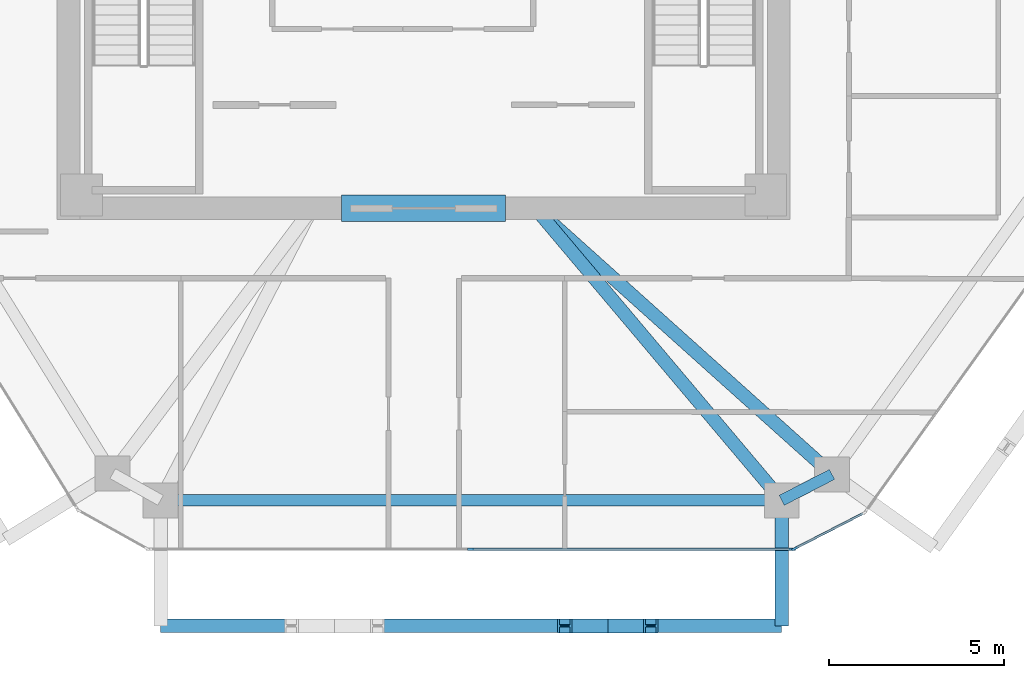
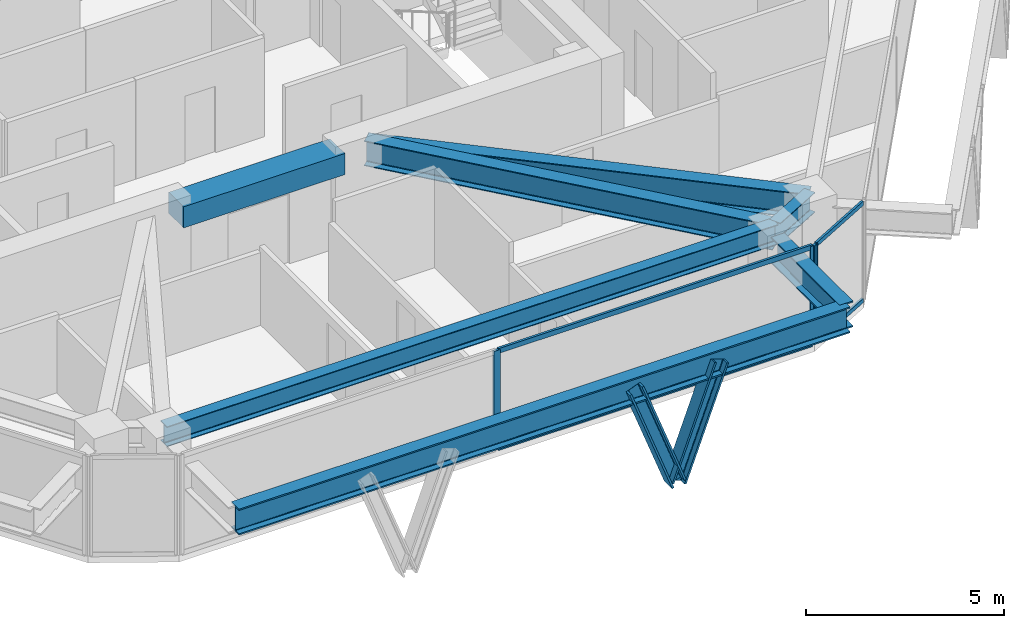
# One storey, part 3 of 11: 9 members, 7 beams, 2 elements without a shape of their own.
"""IFC4 building model written with IfcOpenShell, lengths in metres."""

import ifcopenshell
import ifcopenshell.guid

model = None  # the IFC model being written
_history = None  # IfcOwnerHistory: only IFC2X3 demands one
_inside = {}  # id of a spatial element -> (the spatial element, [elements in it])
_under = {}  # id of a project, library or spatial element -> (it, [spatial elements below it])
_declared = {}  # id of a project -> (the project, [libraries it declares])
_typed = {}  # id of a type object -> (the type object, [elements of that type])
_made_of = {}  # id of a material, layer set ... -> (it, [elements and type objects made of it])


def new_model(schema):
    """Start an empty IFC model of exactly this schema.

    Asked for "IFC4X3", IfcOpenShell would pick the latest addendum, in which some entities
    have other attributes; the version numbers below select the first issue.
    IFC2X3 requires an IfcOwnerHistory on every rooted entity: one is made here for all.
    """
    global model, _history
    if schema == "IFC4X3":
        model = ifcopenshell.file(schema_version=(4, 3, 0, 0))
    else:
        model = ifcopenshell.file(schema=schema)
    _inside.clear()
    _under.clear()
    _declared.clear()
    _typed.clear()
    _made_of.clear()
    _history = None
    if model.schema == "IFC2X3":
        org = make("IfcOrganization", Name="unknown")
        user = make(
            "IfcPersonAndOrganization",
            ThePerson=make("IfcPerson", FamilyName="unknown"),
            TheOrganization=org,
        )
        app = make(
            "IfcApplication",
            ApplicationDeveloper=org,
            Version="unknown",
            ApplicationFullName="unknown",
            ApplicationIdentifier="unknown",
        )
        _history = make(
            "IfcOwnerHistory",
            OwningUser=user,
            OwningApplication=app,
            ChangeAction="ADDED",
            CreationDate=0,
        )
    return model


def make(cls, **values):
    """One entity of the class cls with the attributes given. An attribute that is None is left unset."""
    return model.create_entity(
        cls, **{name: value for name, value in values.items() if value is not None}
    )


def rooted(cls, **values):
    """An entity with a GlobalId (a new one), such as an element, a storey or a relation."""
    return make(cls, GlobalId=ifcopenshell.guid.new(), OwnerHistory=_history, **values)


def si_unit(unit_type, name, prefix=None):
    """IfcSIUnit, for example si_unit("LENGTHUNIT", "METRE", prefix="MILLI")."""
    return make("IfcSIUnit", UnitType=unit_type, Prefix=prefix, Name=name)


def assignment(units):
    """IfcUnitAssignment: the units of a project."""
    return None if units is None else make("IfcUnitAssignment", Units=units)


def point(xyz):
    """IfcCartesianPoint."""
    return None if xyz is None else make("IfcCartesianPoint", Coordinates=xyz)


def direction(xyz):
    """IfcDirection."""
    return None if xyz is None else make("IfcDirection", DirectionRatios=xyz)


def frame(location, z_axis=None, x_axis=None):
    """IfcAxis2Placement3D, a coordinate frame: its origin and axes. An axis left out is left unset."""
    return make(
        "IfcAxis2Placement3D",
        Location=point(location),
        Axis=direction(z_axis),
        RefDirection=direction(x_axis),
    )


def frame_2d(location, x_axis=None):
    """IfcAxis2Placement2D, a coordinate frame in the plane: its origin and x axis."""
    return make(
        "IfcAxis2Placement2D", Location=point(location), RefDirection=direction(x_axis)
    )


def origin():
    """The frame at (0, 0, 0) with its axes left unset."""
    return frame((0.0, 0.0, 0.0))


def origin_2d():
    """The frame at (0, 0) in the plane with its x axis left unset."""
    return frame_2d((0.0, 0.0))


def place(relative_to, where):
    """IfcLocalPlacement: puts the frame where relative to a parent placement (None: the world)."""
    return make(
        "IfcLocalPlacement", PlacementRelTo=relative_to, RelativePlacement=where
    )


def context(
    kind, dimensions, precision=None, world=None, true_north=None, identifier=None
):
    """IfcGeometricRepresentationContext, for example the 3D "Model" context."""
    return make(
        "IfcGeometricRepresentationContext",
        ContextIdentifier=identifier,
        ContextType=kind,
        CoordinateSpaceDimension=dimensions,
        Precision=precision,
        WorldCoordinateSystem=world,
        TrueNorth=true_north,
    )


def subcontext(parent, identifier, kind, view, scale=None):
    """IfcGeometricRepresentationSubContext, for example "Body" below "Model"."""
    return make(
        "IfcGeometricRepresentationSubContext",
        ContextIdentifier=identifier,
        ContextType=kind,
        ParentContext=parent,
        TargetScale=scale,
        TargetView=view,
    )


def project(units=None, contexts=None):
    """IfcProject with its units and contexts."""
    return rooted(
        "IfcProject",
        Name="project",
        RepresentationContexts=contexts,
        UnitsInContext=assignment(units),
    )


def spatial(cls, under=None, at=None, **own):
    """A site, building, storey or space (cls), placed at a placement, below another one or the project."""
    s = rooted(cls, ObjectPlacement=at, **own)
    if under is not None:
        _under.setdefault(under.id(), (under, []))[1].append(s)
    return s


def profile(cls, at=None, kind="AREA", **sizes):
    """A parametric profile (cls). Its sizes go by their IFC names, for example OverallWidth=200.0."""
    return make(cls, ProfileType=kind, Position=at, **sizes)


def rectangle(**sizes):
    """IfcRectangleProfileDef."""
    return profile("IfcRectangleProfileDef", **sizes)


def i_section(**sizes):
    """IfcIShapeProfileDef."""
    return profile("IfcIShapeProfileDef", **sizes)


def extrude(swept, where, along, depth):
    """IfcExtrudedAreaSolid: the profile swept, set in the frame where, extruded along a direction by depth."""
    return make(
        "IfcExtrudedAreaSolid",
        SweptArea=swept,
        Position=where,
        ExtrudedDirection=direction(along),
        Depth=depth,
    )


def shape(context_of_items, identifier, shape_type, items):
    """IfcShapeRepresentation: the items that make up one representation, for example the "Body"."""
    return make(
        "IfcShapeRepresentation",
        ContextOfItems=context_of_items,
        RepresentationIdentifier=identifier,
        RepresentationType=shape_type,
        Items=items,
    )


def source(mapping_origin, context_of_items, identifier, shape_type, items):
    """IfcRepresentationMap: a shape defined once, which mapped items show again and again."""
    return make(
        "IfcRepresentationMap",
        MappingOrigin=mapping_origin,
        MappedRepresentation=shape(context_of_items, identifier, shape_type, items),
    )


def transform(
    local_origin,
    x_axis=None,
    y_axis=None,
    z_axis=None,
    scale=None,
    scale2=None,
    scale3=None,
    uniform=True,
):
    """IfcCartesianTransformationOperator3D, or its non-uniform kind. x_axis, y_axis, z_axis: its Axis1, 2, 3."""
    if uniform:
        return make(
            "IfcCartesianTransformationOperator3D",
            Axis1=direction(x_axis),
            Axis2=direction(y_axis),
            LocalOrigin=point(local_origin),
            Scale=scale,
            Axis3=direction(z_axis),
        )
    return make(
        "IfcCartesianTransformationOperator3DnonUniform",
        Axis1=direction(x_axis),
        Axis2=direction(y_axis),
        LocalOrigin=point(local_origin),
        Scale=scale,
        Axis3=direction(z_axis),
        Scale2=scale2,
        Scale3=scale3,
    )


def mapped(mapping_source, mapping_target):
    """IfcMappedItem: shows the shape of a source again, moved by a transform."""
    return make(
        "IfcMappedItem", MappingSource=mapping_source, MappingTarget=mapping_target
    )


def material(Name=None, Category=None):
    """IfcMaterial."""
    return make("IfcMaterial", Name=Name, Category=Category)


def layer(
    of_material, thickness, ventilated=None, Name=None, Category=None, Priority=None
):
    """IfcMaterialLayer: one layer of a wall or slab, of a material (None: an air gap)."""
    return make(
        "IfcMaterialLayer",
        Material=of_material,
        LayerThickness=thickness,
        IsVentilated=ventilated,
        Name=Name,
        Category=Category,
        Priority=Priority,
    )


def layer_set(layers, Name=None):
    """IfcMaterialLayerSet."""
    return make("IfcMaterialLayerSet", MaterialLayers=layers, LayerSetName=Name)


def material_profile(
    of_material, cross_section, Name=None, Category=None, Priority=None
):
    """IfcMaterialProfile: a cross section and its material."""
    return make(
        "IfcMaterialProfile",
        Name=Name,
        Material=of_material,
        Profile=cross_section,
        Priority=Priority,
        Category=Category,
    )


def profile_set(profiles, Name=None, composite=None):
    """IfcMaterialProfileSet."""
    return make(
        "IfcMaterialProfileSet",
        Name=Name,
        MaterialProfiles=profiles,
        CompositeProfile=composite,
    )


def made_of(thing, what):
    """Note that an element or type object is made of a material, layer set ...; save() writes the relation."""
    if what is not None:
        _made_of.setdefault(what.id(), (what, []))[1].append(thing)
    return thing


def type_object(cls, material=None, **own):
    """A type object (cls), such as IfcWallType, which elements share."""
    return made_of(rooted(cls, **own), material)


def type_shapes(of_type, sources):
    """Give a type object the sources (RepresentationMaps) that its elements show as mapped items."""
    of_type.RepresentationMaps = sources


def element(
    cls,
    number,
    at=None,
    inside=None,
    cuts=None,
    type_object=None,
    material=None,
    context=None,
    identifier="Body",
    shape_type=None,
    held_by="IfcProductDefinitionShape",
    body=None,
    shapes=None,
    **own,
):
    """One element of the class cls, such as IfcWall. Its Tag is "e" and its number.

    at: its placement. inside: the storey or other place that contains it. cuts: it is an
    opening in that element (IfcRelVoidsElement). A single representation is given by context,
    identifier, shape_type and body (its items); several are given by shapes. held_by: the class
    of the entity that holds the representations. save() writes the other relations.
    """
    e = rooted(cls, Tag="e%d" % number, ObjectPlacement=at, **own)
    if body is not None:
        shapes = [shape(context, identifier, shape_type, body)]
    if shapes is not None:
        e.Representation = make(held_by, Representations=shapes)
    if inside is not None:
        _inside.setdefault(inside.id(), (inside, []))[1].append(e)
    if cuts is not None:
        rooted(
            "IfcRelVoidsElement", RelatingBuildingElement=cuts, RelatedOpeningElement=e
        )
    if type_object is not None:
        _typed.setdefault(type_object.id(), (type_object, []))[1].append(e)
    return made_of(e, material)


def aggregate(whole, parts):
    """IfcRelAggregates: a whole, such as a stair, and the parts it consists of."""
    return rooted("IfcRelAggregates", RelatingObject=whole, RelatedObjects=parts)


def save(model, path):
    """Write the relations noted so far, then the file.

    IfcRelAggregates (storeys below a building ...), IfcRelContainedInSpatialStructure (elements
    in a storey), IfcRelDefinesByType, IfcRelAssociatesMaterial and IfcRelDeclares: one each for
    every whole, place, type object, material and project.
    """
    for whole, parts in _under.values():
        aggregate(whole, parts)
    for where, things in _inside.values():
        rooted(
            "IfcRelContainedInSpatialStructure",
            RelatedElements=things,
            RelatingStructure=where,
        )
    for kind, things in _typed.values():
        rooted("IfcRelDefinesByType", RelatedObjects=things, RelatingType=kind)
    for what, things in _made_of.values():
        rooted("IfcRelAssociatesMaterial", RelatedObjects=things, RelatingMaterial=what)
    for by, libraries in _declared.values():
        rooted("IfcRelDeclares", RelatingContext=by, RelatedDefinitions=libraries)
    model.write(path)


model = new_model("IFC4")

# Units and contexts
model_context = context("Model", 3, precision=1e-05, world=origin(), true_north=direction((0.0, 1.0)))
body_context = subcontext(model_context, "Body", "Model", "MODEL_VIEW")
ifc_project = project(units=[si_unit("LENGTHUNIT", "METRE"), si_unit("AREAUNIT", "SQUARE_METRE"), si_unit("VOLUMEUNIT", "CUBIC_METRE"), si_unit("PLANEANGLEUNIT", "RADIAN"), si_unit("MASSUNIT", "GRAM", prefix="KILO")], contexts=[model_context])

# Site, building, storey
site_placement = place(None, origin())
site = spatial("IfcSite", under=ifc_project, at=site_placement, CompositionType="ELEMENT")
building_placement = place(site_placement, origin())
building = spatial("IfcBuilding", under=site, at=building_placement, Name="Durnholm Broadcast Tower", CompositionType="ELEMENT")
storey_placement = place(building_placement, frame((0.0, 0.0, 183.699951171875)))
storey = spatial("IfcBuildingStorey", under=building, at=storey_placement, Name="L50", CompositionType="ELEMENT", Elevation=183.699951171875)

# Beams
ifc_material_1 = material(Name="Concrete C70/85", Category="concrete")
ifc_material_profile_1 = material_profile(ifc_material_1, rectangle(XDim=0.75, YDim=0.64990234375, at=origin_2d()), Name="RC750X650")
ifc_profile_set_1 = profile_set([ifc_material_profile_1], Name="Concrete C70/85")
beam_type_1 = type_object("IfcBeamType", Name="BM-CB-RC650", PredefinedType="LINTEL", material=ifc_profile_set_1)
shared_shape_1 = source(origin(), body_context, "Body", "SweptSolid", [
    extrude(rectangle(XDim=0.75, YDim=0.64990234375, at=origin_2d()), origin(), (0.0, 0.0, 1.0), 4.7001953125),
])
type_shapes(beam_type_1, [shared_shape_1])
beam_1_placement = place(storey_placement, frame((-2.35009765625, -8.175048828125, 2.72998046875), z_axis=(1.0, 0.0, 0.0), x_axis=(0.0, 1.0, 0.0)))
element("IfcBeam", 1, at=beam_1_placement, inside=storey, type_object=beam_type_1, Name="L50 south core coupling lintel beam CB-S", PredefinedType="LINTEL", context=body_context, shape_type="MappedRepresentation", body=[
    mapped(shared_shape_1, transform((0.0, 0.0, 0.0), x_axis=(1.0, 0.0, 0.0), y_axis=(0.0, 1.0, 0.0), z_axis=(0.0, 0.0, 1.0), scale=1.0)),
])
ifc_material_2 = material(Name="Steel ASTM A992 Grade 50", Category="steel")
ifc_material_profile_2 = material_profile(ifc_material_2, i_section(OverallWidth=0.385009765625, OverallDepth=0.802978515625, WebThickness=0.023681640625, FlangeThickness=0.0419921875, FilletRadius=0.032958984375, at=origin_2d()), Name="W30X261")
ifc_profile_set_2 = profile_set([ifc_material_profile_2], Name="Steel ASTM A992 Grade 50")
beam_type_2 = type_object("IfcBeamType", Name="BM-EXO-TIE", PredefinedType="USERDEFINED", material=ifc_profile_set_2)
shared_shape_2 = source(origin(), body_context, "Body", "SweptSolid", [
    extrude(i_section(OverallWidth=0.385009765625, OverallDepth=0.802978515625, WebThickness=0.023681640625, FlangeThickness=0.0419921875, FilletRadius=0.032958984375, at=origin_2d()), origin(), (0.0, 0.0, 1.0), 3.4560546875),
])
beam_2_placement = place(storey_placement, frame((10.256591796875, -16.68603515625, 2.30859375), z_axis=(0.0, -1.0, 0.0), x_axis=(1.0, 0.0, 0.0)))
element("IfcBeam", 2, at=beam_2_placement, inside=storey, type_object=beam_type_2, Name="L50 exoskeleton stand-off tie bracket F1.2", ObjectType="GIRDER", PredefinedType="USERDEFINED", context=body_context, shape_type="MappedRepresentation", body=[
    mapped(shared_shape_2, transform((0.0, 0.0, 0.0), x_axis=(1.0, 0.0, 0.0), y_axis=(0.0, 1.0, 0.0), z_axis=(0.0, 0.0, 1.0), scale=1.0)),
])
ifc_material_profile_3 = material_profile(ifc_material_2, i_section(OverallWidth=0.3251953125, OverallDepth=0.6162109375, WebThickness=0.013916015625, FlangeThickness=0.021484375, FilletRadius=0.02783203125, at=origin_2d()), Name="W24X117")
ifc_profile_set_3 = profile_set([ifc_material_profile_3], Name="Steel ASTM A992 Grade 50")
beam_type_3 = type_object("IfcBeamType", Name="STL-SP-W24X117", PredefinedType="SPANDREL", material=ifc_profile_set_3)
shared_shape_3 = source(origin(), body_context, "Body", "SweptSolid", [
    extrude(i_section(OverallWidth=0.3251953125, OverallDepth=0.6162109375, WebThickness=0.013916015625, FlangeThickness=0.021484375, FilletRadius=0.02783203125, at=origin_2d()), origin(), (0.0, 0.0, 1.0), 1.62255859375),
])
beam_3_placement = place(storey_placement, frame((11.69970703125, -15.80029296875, 2.737060546875), z_axis=(-0.889406668864, -0.45711680934, 0.0), x_axis=(0.45711680934, -0.889406668864, 0.0)))
element("IfcBeam", 3, at=beam_3_placement, inside=storey, type_object=beam_type_3, Name="L50 perimeter spandrel girder 10", PredefinedType="SPANDREL", context=body_context, shape_type="MappedRepresentation", body=[
    mapped(shared_shape_3, transform((0.0, 0.0, 0.0), x_axis=(1.0, 0.0, 0.0), y_axis=(0.0, 1.0, 0.0), z_axis=(0.0, 0.0, 1.0), scale=1.0)),
])
shared_shape_4 = source(origin(), body_context, "Body", "SweptSolid", [
    extrude(i_section(OverallWidth=0.3251953125, OverallDepth=0.6162109375, WebThickness=0.013916015625, FlangeThickness=0.021484375, FilletRadius=0.02783203125, at=origin_2d()), origin(), (0.0, 0.0, 1.0), 17.796142578125),
])
type_shapes(beam_type_3, [shared_shape_3, shared_shape_4])
beam_4_placement = place(storey_placement, frame((10.256591796875, -16.5419921875, 2.737060546875), z_axis=(-1.0, 0.0, 0.0), x_axis=(0.0, -1.0, 0.0)))
element("IfcBeam", 4, at=beam_4_placement, inside=storey, type_object=beam_type_3, Name="L50 perimeter spandrel girder 11", PredefinedType="SPANDREL", context=body_context, shape_type="MappedRepresentation", body=[
    mapped(shared_shape_4, transform((0.0, 0.0, 0.0), x_axis=(1.0, 0.0, 0.0), y_axis=(0.0, 1.0, 0.0), z_axis=(0.0, 0.0, 1.0), scale=1.0)),
])
shared_shape_5 = source(origin(), body_context, "Body", "SweptSolid", [
    extrude(i_section(OverallWidth=0.385009765625, OverallDepth=0.802978515625, WebThickness=0.023681640625, FlangeThickness=0.0419921875, FilletRadius=0.032958984375, at=origin_2d()), origin(), (0.0, 0.0, 1.0), 17.796142578125),
])
type_shapes(beam_type_2, [shared_shape_2, shared_shape_5])
beam_5_placement = place(storey_placement, frame((-7.53955078125, -20.14208984375, 2.30859375), z_axis=(1.0, 0.0, 0.0), x_axis=(0.0, 1.0, 0.0)))
element("IfcBeam", 5, at=beam_5_placement, inside=storey, type_object=beam_type_2, Name="L50 exoskeleton collector spandrel F1", PredefinedType="SPANDREL", context=body_context, shape_type="MappedRepresentation", body=[
    mapped(shared_shape_5, transform((0.0, 0.0, 0.0), x_axis=(1.0, 0.0, 0.0), y_axis=(0.0, 1.0, 0.0), z_axis=(0.0, 0.0, 1.0), scale=1.0)),
])
ifc_material_profile_4 = material_profile(ifc_material_2, i_section(OverallWidth=0.380615234375, OverallDepth=0.773193359375, WebThickness=0.0166015625, FlangeThickness=0.027099609375, FilletRadius=0.032958984375, at=origin_2d()), Name="W30X173")
ifc_profile_set_4 = profile_set([ifc_material_profile_4], Name="Steel ASTM A992 Grade 50")
beam_type_4 = type_object("IfcBeamType", Name="STL-GR-W30X173", PredefinedType="USERDEFINED", material=ifc_profile_set_4)
shared_shape_6 = source(origin(), body_context, "Body", "SweptSolid", [
    extrude(i_section(OverallWidth=0.380615234375, OverallDepth=0.773193359375, WebThickness=0.0166015625, FlangeThickness=0.027099609375, FilletRadius=0.032958984375, at=origin_2d()), origin(), (0.0, 0.0, 1.0), 11.4189453125),
])
beam_6_placement = place(storey_placement, frame((3.199951171875, -8.175048828125, 2.658447265625), z_axis=(0.744361631918, -0.667776729849, 0.0), x_axis=(0.667776729849, 0.744361631918, 0.0)))
element("IfcBeam", 6, at=beam_6_placement, inside=storey, type_object=beam_type_4, Name="L50 radial primary floor girder 10", ObjectType="GIRDER", PredefinedType="USERDEFINED", context=body_context, shape_type="MappedRepresentation", body=[
    mapped(shared_shape_6, transform((0.0, 0.0, 0.0), x_axis=(1.0, 0.0, 0.0), y_axis=(0.0, 1.0, 0.0), z_axis=(0.0, 0.0, 1.0), scale=1.0)),
])
shared_shape_7 = source(origin(), body_context, "Body", "SweptSolid", [
    extrude(i_section(OverallWidth=0.380615234375, OverallDepth=0.773193359375, WebThickness=0.0166015625, FlangeThickness=0.027099609375, FilletRadius=0.032958984375, at=origin_2d()), origin(), (0.0, 0.0, 1.0), 10.9453125),
])
type_shapes(beam_type_4, [shared_shape_6, shared_shape_7])
beam_7_placement = place(storey_placement, frame((3.199951171875, -8.175048828125, 2.658447265625), z_axis=(0.644712536066, -0.764425108065, 0.0), x_axis=(0.764425108065, 0.644712536066, 0.0)))
element("IfcBeam", 7, at=beam_7_placement, inside=storey, type_object=beam_type_4, Name="L50 radial primary floor girder 11", ObjectType="GIRDER", PredefinedType="USERDEFINED", context=body_context, shape_type="MappedRepresentation", body=[
    mapped(shared_shape_7, transform((0.0, 0.0, 0.0), x_axis=(1.0, 0.0, 0.0), y_axis=(0.0, 1.0, 0.0), z_axis=(0.0, 0.0, 1.0), scale=1.0)),
])

# Members
ifc_material_3 = material(Name="Steel ASTM A913 Grade 65", Category="steel")
ifc_material_profile_5 = material_profile(ifc_material_3, i_section(OverallWidth=0.412109375, OverallDepth=0.434814453125, WebThickness=0.035888671875, FlangeThickness=0.057373046875, FilletRadius=0.030517578125, at=origin_2d()), Name="W14X311")
ifc_profile_set_5 = profile_set([ifc_material_profile_5], Name="Steel ASTM A913 Grade 65")
member_type_1 = type_object("IfcMemberType", Name="STL-DG-W14X311", PredefinedType="BRACE", material=ifc_profile_set_5)
shared_shape_8 = source(origin(), body_context, "Body", "SweptSolid", [
    extrude(i_section(OverallWidth=0.412109375, OverallDepth=0.434814453125, WebThickness=0.035888671875, FlangeThickness=0.057373046875, FilletRadius=0.030517578125, at=origin_2d()), origin(), (0.0, 0.0, 1.0), 3.523193359375),
])
type_shapes(member_type_1, [shared_shape_8])
for number, where, z_axis, x_axis, name in (
    (8, (5.273681640625, -20.14208984375, -0.991455078125), (-0.350219588454, 0.0, 0.936667625075), (0.0, -1.0, 0.0), "L50 stand-off diagrid brace F1.D2.1"),
    (9, (5.273681640625, -20.14208984375, -0.991455078125), (0.350219588454, 0.0, 0.936667625075), (0.0, 1.0, 0.0), "L50 stand-off diagrid brace F1.D2.2"),
):
    element("IfcMember", number, at=place(storey_placement, frame(where, z_axis=z_axis, x_axis=x_axis)), inside=storey, type_object=member_type_1, Name=name, PredefinedType="BRACE", context=body_context, shape_type="MappedRepresentation", body=[
        mapped(shared_shape_8, transform((0.0, 0.0, 0.0), x_axis=(1.0, 0.0, 0.0), y_axis=(0.0, 1.0, 0.0), z_axis=(0.0, 0.0, 1.0), scale=1.0)),
    ])

# Curtain wall, members
ifc_material_4 = material(Name="Aluminium and Solar Control IGU", Category="aluminium")
ifc_layer_1 = layer(ifc_material_4, 0.1650390625)
ifc_layer_set_1 = layer_set([ifc_layer_1], Name="Aluminium and Solar Control IGU")
curtain_wall_type_1 = type_object("IfcCurtainWallType", Name="CW-SYS-5", PredefinedType="NOTDEFINED", material=ifc_layer_set_1)
curtain_wall_1_placement = place(storey_placement, origin())
curtain_wall_1 = element("IfcCurtainWall", 10, at=curtain_wall_1_placement, inside=storey, type_object=curtain_wall_type_1, Name="L50 curtain wall CW-CORNER CW-L50-CRN-09", PredefinedType="NOTDEFINED")
ifc_material_5 = material(Name="Aluminium 6063-T6", Category="aluminium")
ifc_material_profile_6 = material_profile(ifc_material_5, rectangle(XDim=0.06494140625, YDim=0.1650390625, at=origin_2d()), Name="CWM65X165")
ifc_profile_set_6 = profile_set([ifc_material_profile_6], Name="Aluminium 6063-T6")
member_type_2 = type_object("IfcMemberType", Name="CW-SYS-5-MUL", PredefinedType="MULLION", material=ifc_profile_set_6)
shared_shape_9 = source(origin(), body_context, "Body", "SweptSolid", [
    extrude(rectangle(XDim=0.06494140625, YDim=0.1650390625, at=origin_2d()), origin(), (0.0, 0.0, 1.0), 3.06005859375),
])
type_shapes(member_type_2, [shared_shape_9])
member_1_placement = place(storey_placement, frame((10.624267578125, -17.92724609375, 0.0), z_axis=(0.0, 0.0, 1.0), x_axis=(0.457081764476, -0.889424679545, 0.0)))
member_1 = element("IfcMember", 11, at=member_1_placement, type_object=member_type_2, Name="CW-CORNER mullion 2", PredefinedType="MULLION", context=body_context, shape_type="MappedRepresentation", body=[
    mapped(shared_shape_9, transform((0.0, 0.0, 0.0), x_axis=(1.0, 0.0, 0.0), y_axis=(0.0, 1.0, 0.0), z_axis=(0.0, 0.0, 1.0), scale=1.0)),
])
ifc_material_profile_7 = material_profile(ifc_material_5, rectangle(XDim=0.06494140625, YDim=0.1298828125, at=origin_2d()), Name="CWT65X130")
ifc_profile_set_7 = profile_set([ifc_material_profile_7], Name="Aluminium 6063-T6")
member_type_3 = type_object("IfcMemberType", Name="CW-SYS-5-TRN", PredefinedType="USERDEFINED", material=ifc_profile_set_7)
shared_shape_10 = source(origin(), body_context, "Body", "SweptSolid", [
    extrude(rectangle(XDim=0.06494140625, YDim=0.1298828125, at=origin_2d()), origin(), (0.0, 0.0, 1.0), 2.170166015625),
])
type_shapes(member_type_3, [shared_shape_10])
member_2_placement = place(storey_placement, frame((12.583251953125, -16.92041015625, 0.032470703125), z_axis=(-0.889422414772, -0.457086171417, 0.0), x_axis=(0.457086171417, -0.889422414772, 0.0)))
member_2 = element("IfcMember", 12, at=member_2_placement, type_object=member_type_3, Name="CW-CORNER transom 1.1", ObjectType="TRANSOM", PredefinedType="USERDEFINED", context=body_context, shape_type="MappedRepresentation", body=[
    mapped(shared_shape_10, transform((0.0, 0.0, 0.0), x_axis=(1.0, 0.0, 0.0), y_axis=(0.0, 1.0, 0.0), z_axis=(0.0, 0.0, 1.0), scale=1.0)),
])
member_3_placement = place(storey_placement, frame((12.583251953125, -16.92041015625, 3.027587890625), z_axis=(-0.889422414772, -0.457086171417, 0.0), x_axis=(0.457086171417, -0.889422414772, 0.0)))
member_3 = element("IfcMember", 13, at=member_3_placement, type_object=member_type_3, Name="CW-CORNER transom 1.2", ObjectType="TRANSOM", PredefinedType="USERDEFINED", context=body_context, shape_type="MappedRepresentation", body=[
    mapped(shared_shape_10, transform((0.0, 0.0, 0.0), x_axis=(1.0, 0.0, 0.0), y_axis=(0.0, 1.0, 0.0), z_axis=(0.0, 0.0, 1.0), scale=1.0)),
])
aggregate(curtain_wall_1, [member_1, member_2, member_3])

ifc_layer_2 = layer(ifc_material_4, 0.18994140625)
ifc_layer_set_2 = layer_set([ifc_layer_2], Name="Aluminium and Solar Control IGU")
curtain_wall_type_2 = type_object("IfcCurtainWallType", Name="CW-SYS-4", PredefinedType="NOTDEFINED", material=ifc_layer_set_2)
curtain_wall_2_placement = place(storey_placement, origin())
curtain_wall_2 = element("IfcCurtainWall", 14, at=curtain_wall_2_placement, inside=storey, type_object=curtain_wall_type_2, Name="L50 curtain wall CW-Z34-VIS CW-L50-F10", PredefinedType="NOTDEFINED")
ifc_material_profile_8 = material_profile(ifc_material_5, rectangle(XDim=0.070068359375, YDim=0.14990234375, at=origin_2d()), Name="CWT70X150")
ifc_profile_set_8 = profile_set([ifc_material_profile_8], Name="Aluminium 6063-T6")
member_type_4 = type_object("IfcMemberType", Name="CW-SYS-4-TRN", PredefinedType="USERDEFINED", material=ifc_profile_set_8)
shared_shape_11 = source(origin(), body_context, "Body", "SweptSolid", [
    extrude(rectangle(XDim=0.070068359375, YDim=0.14990234375, at=origin_2d()), origin(), (0.0, 0.0, 1.0), 9.14453125),
])
type_shapes(member_type_4, [shared_shape_11])
member_4_placement = place(storey_placement, frame((10.525390625, -17.94189453125, 0.03515625), z_axis=(-1.0, 0.0, 0.0), x_axis=(0.0, -1.0, 0.0)))
member_4 = element("IfcMember", 15, at=member_4_placement, type_object=member_type_4, Name="CW-Z34-VIS transom 1.1", ObjectType="TRANSOM", PredefinedType="USERDEFINED", context=body_context, shape_type="MappedRepresentation", body=[
    mapped(shared_shape_11, transform((0.0, 0.0, 0.0), x_axis=(1.0, 0.0, 0.0), y_axis=(0.0, 1.0, 0.0), z_axis=(0.0, 0.0, 1.0), scale=1.0)),
])
member_5_placement = place(storey_placement, frame((10.525390625, -17.94189453125, 3.025146484375), z_axis=(-1.0, 0.0, 0.0), x_axis=(0.0, -1.0, 0.0)))
member_5 = element("IfcMember", 16, at=member_5_placement, type_object=member_type_4, Name="CW-Z34-VIS transom 1.2", ObjectType="TRANSOM", PredefinedType="USERDEFINED", context=body_context, shape_type="MappedRepresentation", body=[
    mapped(shared_shape_11, transform((0.0, 0.0, 0.0), x_axis=(1.0, 0.0, 0.0), y_axis=(0.0, 1.0, 0.0), z_axis=(0.0, 0.0, 1.0), scale=1.0)),
])
ifc_material_profile_9 = material_profile(ifc_material_5, rectangle(XDim=0.070068359375, YDim=0.18994140625, at=origin_2d()), Name="CWM70X190")
ifc_profile_set_9 = profile_set([ifc_material_profile_9], Name="Aluminium 6063-T6")
member_type_5 = type_object("IfcMemberType", Name="CW-SYS-4-MUL", PredefinedType="MULLION", material=ifc_profile_set_9)
shared_shape_12 = source(origin(), body_context, "Body", "SweptSolid", [
    extrude(rectangle(XDim=0.070068359375, YDim=0.18994140625, at=origin_2d()), origin(), (0.0, 0.0, 1.0), 3.06005859375),
])
type_shapes(member_type_5, [shared_shape_12])
member_6_placement = place(storey_placement, frame((10.560302734375, -17.94189453125, 0.0), z_axis=(0.0, 0.0, 1.0), x_axis=(0.0, -1.0, 0.0)))
member_6 = element("IfcMember", 17, at=member_6_placement, type_object=member_type_5, Name="CW-Z34-VIS mullion 1", PredefinedType="MULLION", context=body_context, shape_type="MappedRepresentation", body=[
    mapped(shared_shape_12, transform((0.0, 0.0, 0.0), x_axis=(1.0, 0.0, 0.0), y_axis=(0.0, 1.0, 0.0), z_axis=(0.0, 0.0, 1.0), scale=1.0)),
])
member_7_placement = place(storey_placement, frame((1.345947265625, -17.94189453125, 0.0), z_axis=(0.0, 0.0, 1.0), x_axis=(0.0, -1.0, 0.0)))
member_7 = element("IfcMember", 18, at=member_7_placement, type_object=member_type_5, Name="CW-Z34-VIS mullion 2", PredefinedType="MULLION", context=body_context, shape_type="MappedRepresentation", body=[
    mapped(shared_shape_12, transform((0.0, 0.0, 0.0), x_axis=(1.0, 0.0, 0.0), y_axis=(0.0, 1.0, 0.0), z_axis=(0.0, 0.0, 1.0), scale=1.0)),
])
aggregate(curtain_wall_2, [member_6, member_7, member_4, member_5])

save(model, "model.ifc")
